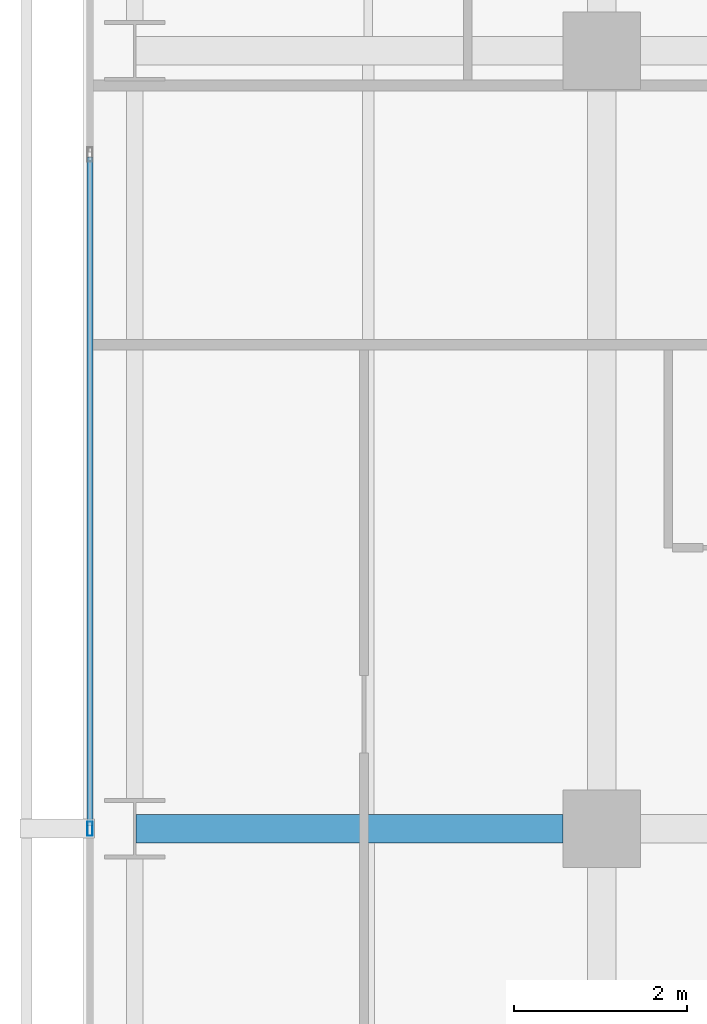
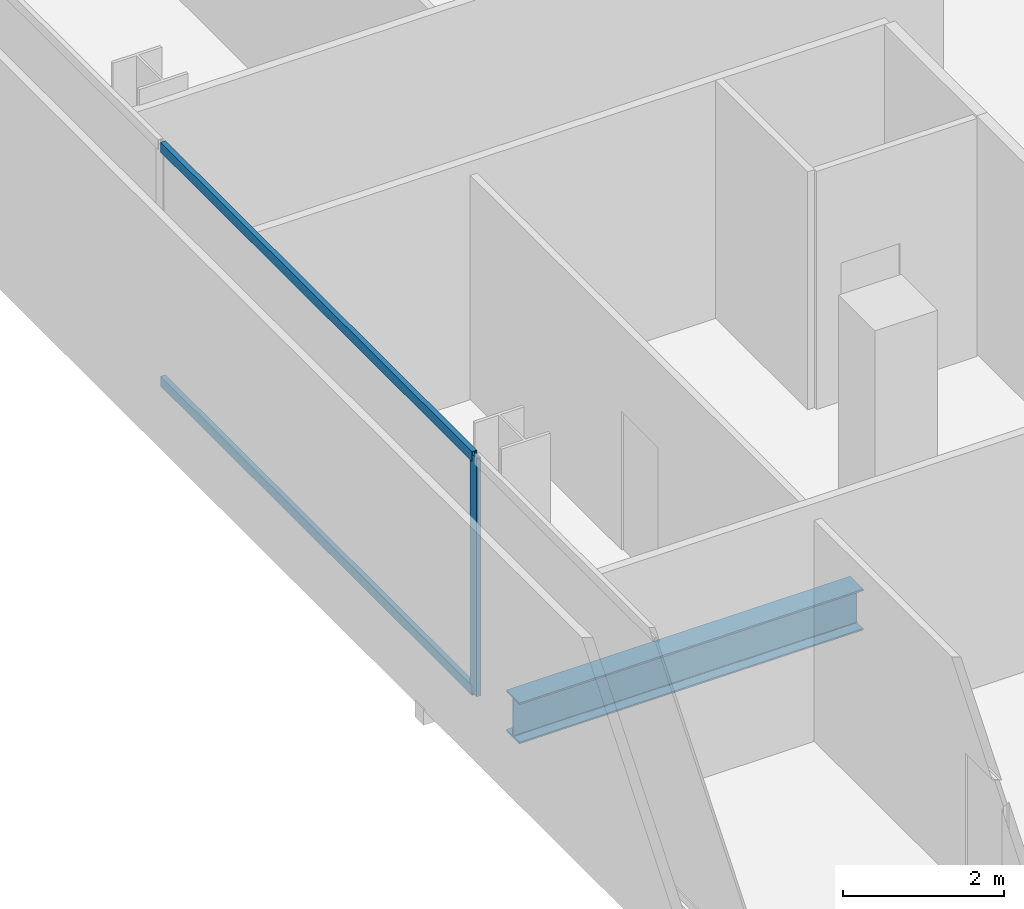
# One storey, part 12 of 39: 3 members, 1 beam, 1 element without a shape of its own.
"""IFC4 building model written with IfcOpenShell, lengths in metres."""

from ifc_helpers import new_model, si_unit, direction, frame, origin, origin_2d, place, context, subcontext, project, spatial, hollow_rectangle, i_section, extrude, material, layer, layer_set, material_profile, profile_set, type_object, element, aggregate, save


model = new_model("IFC4")

# Units and contexts
model_context = context("Model", 3, precision=1e-05, world=origin(), true_north=direction((0.0, 1.0)))
body_context = subcontext(model_context, "Body", "Model", "MODEL_VIEW")
ifc_project = project(units=[si_unit("LENGTHUNIT", "METRE"), si_unit("AREAUNIT", "SQUARE_METRE"), si_unit("VOLUMEUNIT", "CUBIC_METRE"), si_unit("PLANEANGLEUNIT", "RADIAN"), si_unit("MASSUNIT", "GRAM", prefix="KILO")], contexts=[model_context])

# Site, building, storey
site_placement = place(None, origin())
site = spatial("IfcSite", under=ifc_project, at=site_placement, CompositionType="ELEMENT")
building_placement = place(site_placement, origin())
building = spatial("IfcBuilding", under=site, at=building_placement, Name="Maruvema Waterfront Hotel and Observation Tower", CompositionType="ELEMENT")
storey_placement = place(building_placement, frame((0.0, 0.0, 65.449951171875)))
storey = spatial("IfcBuildingStorey", under=building, at=storey_placement, Name="L15", CompositionType="ELEMENT", Elevation=65.449951171875)

# Curtain wall, members
ifc_material_1 = material(Name="Anodised bronze aluminium and solar-control low-E IGU", Category="aluminium")
ifc_layer = layer(ifc_material_1, 0.159912109375, Name="Zone 1 Bronze Inner Thermal Curtain Wall System CW-02")
ifc_layer_set = layer_set([ifc_layer], Name="Anodised bronze aluminium and solar-control low-E IGU")
curtain_wall_type = type_object("IfcCurtainWallType", Name="Zone 1 Bronze Inner Thermal Curtain Wall System CW-02", PredefinedType="USERDEFINED", material=ifc_layer_set)
curtain_wall_placement = place(storey_placement, origin())
curtain_wall = element("IfcCurtainWall", 1, at=curtain_wall_placement, inside=storey, type_object=curtain_wall_type, Name="L15 Curtain Wall CW-L15-W", ObjectType="UNITISED CURTAIN WALL", PredefinedType="USERDEFINED")
ifc_material_2 = material(Name="Anodised architectural bronze aluminium", Category="aluminium")
ifc_material_profile_1 = material_profile(ifc_material_2, hollow_rectangle(XDim=0.070068359375, YDim=0.14990234375, WallThickness=0.00390625, at=origin_2d()), Name="ALU-T70x150")
ifc_profile_set_1 = profile_set([ifc_material_profile_1], Name="Anodised architectural bronze aluminium")
member_type_1 = type_object("IfcMemberType", Name="Curtain Wall Horizontal Transom ALU-T70x150", PredefinedType="USERDEFINED", material=ifc_profile_set_1)
member_1_placement = place(storey_placement, frame((10.8798828125, 34.77001953125, 0.030029296875), z_axis=(0.0, -1.0, 0.0), x_axis=(1.0, 0.0, 0.0)))
member_1 = element("IfcMember", 2, at=member_1_placement, type_object=member_type_1, Name="CW-02 transom 3.1", ObjectType="TRANSOM", PredefinedType="USERDEFINED", context=body_context, shape_type="SweptSolid", body=[
    extrude(hollow_rectangle(XDim=0.070068359375, YDim=0.14990234375, WallThickness=0.00390625, at=origin_2d()), origin(), (0.0, 0.0, 1.0), 7.739990234375),
])
member_2_placement = place(storey_placement, frame((10.8798828125, 34.77001953125, 3.580078125), z_axis=(0.0, -1.0, 0.0), x_axis=(1.0, 0.0, 0.0)))
member_2 = element("IfcMember", 3, at=member_2_placement, type_object=member_type_1, Name="CW-02 transom 3.2", ObjectType="TRANSOM", PredefinedType="USERDEFINED", context=body_context, shape_type="SweptSolid", body=[
    extrude(hollow_rectangle(XDim=0.070068359375, YDim=0.14990234375, WallThickness=0.00390625, at=origin_2d()), origin(), (0.0, 0.0, 1.0), 7.739990234375),
])
ifc_material_3 = material(Name="Anodised architectural bronze aluminium", Category="aluminium")
ifc_material_profile_2 = material_profile(ifc_material_3, hollow_rectangle(XDim=0.06494140625, YDim=0.1650390625, WallThickness=0.00390625, at=origin_2d()), Name="ALU-M65x165")
ifc_profile_set_2 = profile_set([ifc_material_profile_2], Name="Anodised architectural bronze aluminium")
member_type_2 = type_object("IfcMemberType", Name="Curtain Wall Primary Mullion ALU-M65x165", PredefinedType="MULLION", material=ifc_profile_set_2)
member_3_placement = place(storey_placement, frame((10.8798828125, 27.0, 0.0), z_axis=(0.0, 0.0, 1.0), x_axis=(1.0, 0.0, 0.0)))
member_3 = element("IfcMember", 4, at=member_3_placement, type_object=member_type_2, Name="CW-02 mullion 4", PredefinedType="MULLION", context=body_context, shape_type="SweptSolid", body=[
    extrude(hollow_rectangle(XDim=0.06494140625, YDim=0.1650390625, WallThickness=0.00390625, at=origin_2d()), origin(), (0.0, 0.0, 1.0), 3.610107421875),
])
aggregate(curtain_wall, [member_3, member_1, member_2])

# Beam
ifc_material_4 = material(Name="Steel ASTM A572 Grade 50", Category="steel")
ifc_material_profile_3 = material_profile(ifc_material_4, i_section(OverallWidth=0.326904296875, OverallDepth=0.6220703125, WebThickness=0.015380859375, FlangeThickness=0.0244140625, FilletRadius=0.01806640625, at=origin_2d()), Name="W610x195.0")
ifc_profile_set_3 = profile_set([ifc_material_profile_3], Name="Steel ASTM A572 Grade 50")
beam_type = type_object("IfcBeamType", Name="Primary Floor Girder W610x195.0", PredefinedType="BEAM", material=ifc_profile_set_3)
beam_placement = place(storey_placement, frame((11.4140625, 27.0, -0.551025390625), z_axis=(1.0, 0.0, 0.0), x_axis=(0.0, 1.0, 0.0)))
element("IfcBeam", 5, at=beam_placement, inside=storey, type_object=beam_type, Name="L15 Floor Girder EW-20", PredefinedType="BEAM", context=body_context, shape_type="SweptSolid", body=[
    extrude(i_section(OverallWidth=0.326904296875, OverallDepth=0.6220703125, WebThickness=0.015380859375, FlangeThickness=0.0244140625, FilletRadius=0.01806640625, at=origin_2d()), origin(), (0.0, 0.0, 1.0), 4.93603515625),
])

save(model, "model.ifc")
